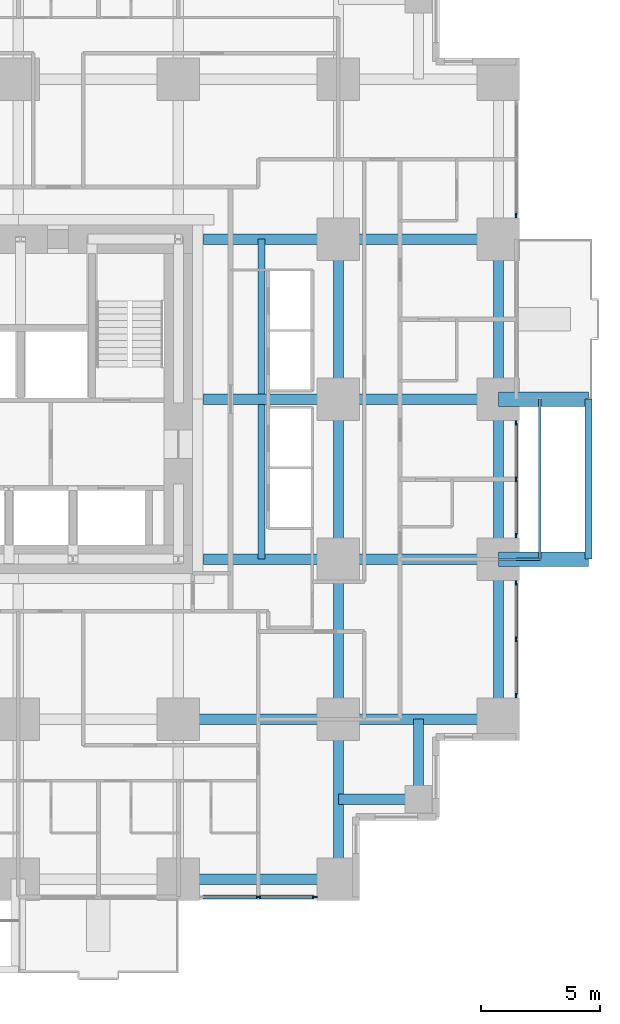
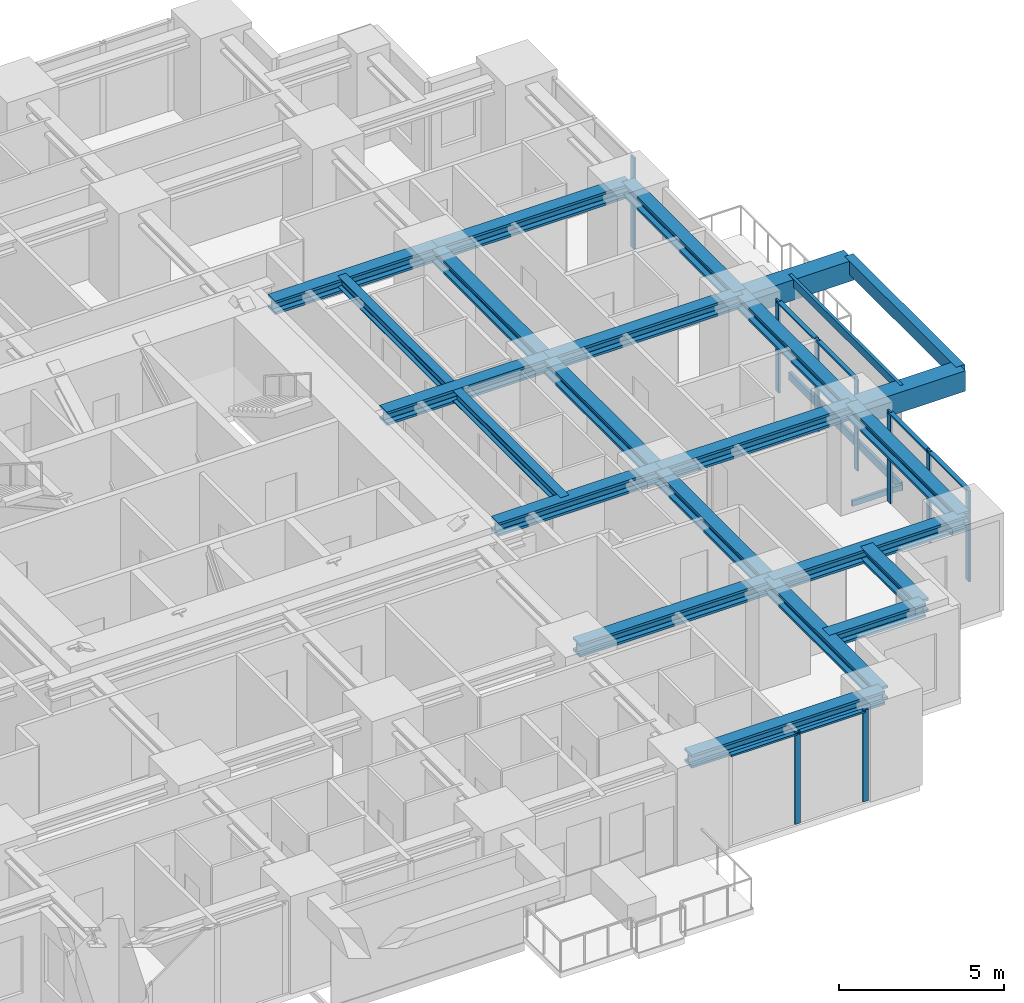
# One storey, part 4 of 14: 23 beams, 18 members, 4 elements without a shape of their own.
"""IFC4 building model written with IfcOpenShell, lengths in metres."""

from ifc_helpers import new_model, si_unit, direction, frame, origin, origin_2d, place, context, subcontext, project, spatial, rectangle, hollow_rectangle, i_section, extrude, material, material_profile, profile_set, type_object, element, aggregate, save


model = new_model("IFC4")

# Units and contexts
model_context = context("Model", 3, precision=1e-05, world=origin(), true_north=direction((0.0, 1.0)))
body_context = subcontext(model_context, "Body", "Model", "MODEL_VIEW")
ifc_project = project(units=[si_unit("LENGTHUNIT", "METRE"), si_unit("AREAUNIT", "SQUARE_METRE"), si_unit("VOLUMEUNIT", "CUBIC_METRE"), si_unit("PLANEANGLEUNIT", "RADIAN"), si_unit("MASSUNIT", "GRAM", prefix="KILO")], contexts=[model_context])

# Site, building, storey
site_placement = place(None, origin())
site = spatial("IfcSite", under=ifc_project, at=site_placement, CompositionType="ELEMENT")
building_placement = place(site_placement, origin())
building = spatial("IfcBuilding", under=site, at=building_placement, Name="Nyansa Garden Tower", CompositionType="ELEMENT")
storey_placement = place(building_placement, frame((0.0, 0.0, 64.800048828125)))
storey = spatial("IfcBuildingStorey", under=building, at=storey_placement, Name="L17", CompositionType="ELEMENT", Elevation=64.800048828125)

# Beams
ifc_material_1 = material(Name="Concrete C70/85", Category="concrete")
ifc_material_profile_1 = material_profile(ifc_material_1, rectangle(XDim=0.60009765625, YDim=0.75, at=origin_2d()), Name="RC 600x750")
ifc_profile_set_1 = profile_set([ifc_material_profile_1], Name="Concrete C70/85")
beam_type_1 = type_object("IfcBeamType", Name="Balcony cantilever beam CB1 RC 600x750", PredefinedType="BEAM", material=ifc_profile_set_1)
for number, where, z_axis, x_axis, name in (
    (1, (40.5, 13.5, 2.98486328125), (1.0, 0.0, 0.0), (0.0, 1.0, 0.0), "Balcony cantilever beam L18"),
    (2, (40.5, 20.25, 2.98486328125), (1.0, 0.0, 0.0), (0.0, 1.0, 0.0), "Balcony cantilever beam L18"),
):
    element("IfcBeam", number, at=place(storey_placement, frame(where, z_axis=z_axis, x_axis=x_axis)), inside=storey, type_object=beam_type_1, Name=name, PredefinedType="BEAM", context=body_context, shape_type="SweptSolid", body=[
        extrude(rectangle(XDim=0.60009765625, YDim=0.75, at=origin_2d()), origin(), (0.0, 0.0, 1.0), 3.800048828125),
    ])
ifc_material_2 = material(Name="Concrete C70/85", Category="concrete")
ifc_material_profile_2 = material_profile(ifc_material_2, rectangle(XDim=0.300048828125, YDim=0.5, at=origin_2d()), Name="RC 300x500")
ifc_profile_set_2 = profile_set([ifc_material_profile_2], Name="Concrete C70/85")
beam_type_2 = type_object("IfcBeamType", Name="Balcony edge beam BE1 RC 300x500", PredefinedType="BEAM", material=ifc_profile_set_2)
beam_1_placement = place(storey_placement, frame((44.300048828125, 13.5, 3.10986328125), z_axis=(0.0, 1.0, 0.0), x_axis=(-1.0, 0.0, 0.0)))
element("IfcBeam", 3, at=beam_1_placement, inside=storey, type_object=beam_type_2, Name="Balcony edge beam L18", PredefinedType="BEAM", context=body_context, shape_type="SweptSolid", body=[
    extrude(rectangle(XDim=0.300048828125, YDim=0.5, at=origin_2d()), origin(), (0.0, 0.0, 1.0), 6.75),
])

# Curtain wall, members
ifc_material_3 = material(Name="Black anodised aluminium, dark tinted double glazing", Category="aluminium")
curtain_wall_type = type_object("IfcCurtainWallType", Name="Inner skin curtain wall ISW-A", PredefinedType="USERDEFINED", material=ifc_material_3)
curtain_wall_1_placement = place(storey_placement, origin())
curtain_wall_1 = element("IfcCurtainWall", 4, at=curtain_wall_1_placement, inside=storey, type_object=curtain_wall_type, Name="Inner skin curtain wall L17 E", ObjectType="UNITISED CURTAIN WALL", PredefinedType="USERDEFINED")
ifc_material_4 = material(Name="Black anodised aluminium", Category="aluminium")
ifc_material_profile_3 = material_profile(ifc_material_4, rectangle(XDim=0.06494140625, YDim=0.199951171875, at=origin_2d()), Name="Mullion 200x65")
ifc_profile_set_3 = profile_set([ifc_material_profile_3], Name="Black anodised aluminium")
member_type_1 = type_object("IfcMemberType", Name="Mullion ISW-A 200x65", PredefinedType="MULLION", material=ifc_profile_set_3)
member_1_placement = place(storey_placement, frame((41.25, 7.75, 0.0), z_axis=(0.0, 0.0, 1.0), x_axis=(-1.0, 0.0, 0.0)))
member_1 = element("IfcMember", 5, at=member_1_placement, type_object=member_type_1, Name="ISW-A mullion 1", PredefinedType="MULLION", context=body_context, shape_type="SweptSolid", body=[
    extrude(rectangle(XDim=0.06494140625, YDim=0.199951171875, at=origin_2d()), origin(), (0.0, 0.0, 1.0), 3.375),
])
member_2_placement = place(storey_placement, frame((41.25, 10.125, 0.0), z_axis=(0.0, 0.0, 1.0), x_axis=(-1.0, 0.0, 0.0)))
member_2 = element("IfcMember", 6, at=member_2_placement, type_object=member_type_1, Name="ISW-A mullion 2", PredefinedType="MULLION", context=body_context, shape_type="SweptSolid", body=[
    extrude(rectangle(XDim=0.06494140625, YDim=0.199951171875, at=origin_2d()), origin(), (0.0, 0.0, 1.0), 3.375),
])
member_3_placement = place(storey_placement, frame((41.25, 12.5, 0.0), z_axis=(0.0, 0.0, 1.0), x_axis=(-1.0, 0.0, 0.0)))
member_3 = element("IfcMember", 7, at=member_3_placement, type_object=member_type_1, Name="ISW-A mullion 3", PredefinedType="MULLION", context=body_context, shape_type="SweptSolid", body=[
    extrude(rectangle(XDim=0.06494140625, YDim=0.199951171875, at=origin_2d()), origin(), (0.0, 0.0, 1.0), 3.375),
])

curtain_wall_2_placement = place(storey_placement, origin())
curtain_wall_2 = element("IfcCurtainWall", 8, at=curtain_wall_2_placement, inside=storey, type_object=curtain_wall_type, Name="Inner skin curtain wall L17 E", ObjectType="UNITISED CURTAIN WALL", PredefinedType="USERDEFINED")
member_4_placement = place(storey_placement, frame((41.25, 14.5, 0.0), z_axis=(0.0, 0.0, 1.0), x_axis=(-1.0, 0.0, 0.0)))
member_4 = element("IfcMember", 9, at=member_4_placement, type_object=member_type_1, Name="ISW-A mullion 1", PredefinedType="MULLION", context=body_context, shape_type="SweptSolid", body=[
    extrude(rectangle(XDim=0.06494140625, YDim=0.199951171875, at=origin_2d()), origin(), (0.0, 0.0, 1.0), 3.375),
])
member_5_placement = place(storey_placement, frame((41.25, 16.875, 0.0), z_axis=(0.0, 0.0, 1.0), x_axis=(-1.0, 0.0, 0.0)))
member_5 = element("IfcMember", 10, at=member_5_placement, type_object=member_type_1, Name="ISW-A mullion 2", PredefinedType="MULLION", context=body_context, shape_type="SweptSolid", body=[
    extrude(rectangle(XDim=0.06494140625, YDim=0.199951171875, at=origin_2d()), origin(), (0.0, 0.0, 1.0), 3.375),
])
member_6_placement = place(storey_placement, frame((41.25, 19.25, 0.0), z_axis=(0.0, 0.0, 1.0), x_axis=(-1.0, 0.0, 0.0)))
member_6 = element("IfcMember", 11, at=member_6_placement, type_object=member_type_1, Name="ISW-A mullion 3", PredefinedType="MULLION", context=body_context, shape_type="SweptSolid", body=[
    extrude(rectangle(XDim=0.06494140625, YDim=0.199951171875, at=origin_2d()), origin(), (0.0, 0.0, 1.0), 3.375),
])

# Curtain wall, member
curtain_wall_3_placement = place(storey_placement, origin())
curtain_wall_3 = element("IfcCurtainWall", 12, at=curtain_wall_3_placement, inside=storey, type_object=curtain_wall_type, Name="Inner skin curtain wall L17 E", ObjectType="UNITISED CURTAIN WALL", PredefinedType="USERDEFINED")
member_7_placement = place(storey_placement, frame((41.25, 28.0, 0.0), z_axis=(0.0, 0.0, 1.0), x_axis=(-1.0, 0.0, 0.0)))
member_7 = element("IfcMember", 13, at=member_7_placement, type_object=member_type_1, Name="ISW-A mullion 1", PredefinedType="MULLION", context=body_context, shape_type="SweptSolid", body=[
    extrude(rectangle(XDim=0.06494140625, YDim=0.199951171875, at=origin_2d()), origin(), (0.0, 0.0, 1.0), 3.375),
])
aggregate(curtain_wall_3, [member_7])

# Curtain wall, members
curtain_wall_4_placement = place(storey_placement, origin())
curtain_wall_4 = element("IfcCurtainWall", 14, at=curtain_wall_4_placement, inside=storey, type_object=curtain_wall_type, Name="Inner skin curtain wall L17 S", ObjectType="UNITISED CURTAIN WALL", PredefinedType="USERDEFINED")
member_8_placement = place(storey_placement, frame((30.375, -0.75, 0.0), z_axis=(0.0, 0.0, 1.0), x_axis=(0.0, 1.0, 0.0)))
member_8 = element("IfcMember", 15, at=member_8_placement, type_object=member_type_1, Name="ISW-A mullion 2", PredefinedType="MULLION", context=body_context, shape_type="SweptSolid", body=[
    extrude(rectangle(XDim=0.06494140625, YDim=0.199951171875, at=origin_2d()), origin(), (0.0, 0.0, 1.0), 3.375),
])
member_9_placement = place(storey_placement, frame((32.75, -0.75, 0.0), z_axis=(0.0, 0.0, 1.0), x_axis=(0.0, 1.0, 0.0)))
member_9 = element("IfcMember", 16, at=member_9_placement, type_object=member_type_1, Name="ISW-A mullion 3", PredefinedType="MULLION", context=body_context, shape_type="SweptSolid", body=[
    extrude(rectangle(XDim=0.06494140625, YDim=0.199951171875, at=origin_2d()), origin(), (0.0, 0.0, 1.0), 3.375),
])

# Members
ifc_material_5 = material(Name="Steel S355, black powder coated", Category="steel")
ifc_material_profile_4 = material_profile(ifc_material_5, hollow_rectangle(XDim=0.10009765625, YDim=0.199951171875, WallThickness=0.008056640625, at=origin_2d()), Name="RHS 200x100x8")
ifc_profile_set_4 = profile_set([ifc_material_profile_4], Name="Steel S355, black powder coated")
member_type_2 = type_object("IfcMemberType", Name="Outer skin bracket arm RHS 200x100x8", PredefinedType="USERDEFINED", material=ifc_profile_set_4)
member_10_placement = place(storey_placement, frame((40.5, 13.5, -0.375), z_axis=(1.0, 0.0, 0.0), x_axis=(0.0, 1.0, 0.0)))
element("IfcMember", 17, at=member_10_placement, inside=storey, type_object=member_type_2, Name="Outer skin bracket arm", ObjectType="OUTER SKIN BRACKET", PredefinedType="USERDEFINED", context=body_context, shape_type="SweptSolid", body=[
    extrude(hollow_rectangle(XDim=0.10009765625, YDim=0.199951171875, WallThickness=0.008056640625, at=origin_2d()), origin(), (0.0, 0.0, 1.0), 1.75),
])
ifc_material_6 = material(Name="Steel S355, black powder coated", Category="steel")
ifc_material_profile_5 = material_profile(ifc_material_6, hollow_rectangle(XDim=0.10009765625, YDim=0.300048828125, WallThickness=0.010009765625, at=origin_2d()), Name="RHS 300x100x10")
ifc_profile_set_5 = profile_set([ifc_material_profile_5], Name="Steel S355, black powder coated")
member_type_3 = type_object("IfcMemberType", Name="Outer skin rail RHS 300x100x10", PredefinedType="USERDEFINED", material=ifc_profile_set_5)
for number, where, z_axis, x_axis, name in (
    (18, (42.25, 13.5, -0.375), (0.0, 1.0, 0.0), (-1.0, 0.0, 0.0), "Outer skin rail L17"),
    (19, (42.25, 13.5, 3.224853515625), (0.0, 1.0, 0.0), (-1.0, 0.0, 0.0), "Outer skin rail L17 head"),
):
    element("IfcMember", number, at=place(storey_placement, frame(where, z_axis=z_axis, x_axis=x_axis)), inside=storey, type_object=member_type_3, Name=name, ObjectType="OUTER SKIN RAIL", PredefinedType="USERDEFINED", context=body_context, shape_type="SweptSolid", body=[
        extrude(hollow_rectangle(XDim=0.10009765625, YDim=0.300048828125, WallThickness=0.010009765625, at=origin_2d()), origin(), (0.0, 0.0, 1.0), 6.75),
    ])

# Beams
ifc_material_7 = material(Name="Steel S355", Category="steel")
ifc_material_profile_6 = material_profile(ifc_material_7, i_section(OverallWidth=0.431884765625, OverallDepth=0.498046875, WebThickness=0.0556640625, FlangeThickness=0.0888671875, FilletRadius=0.014892578125, at=origin_2d()), Name="HD 400x744")
ifc_profile_set_6 = profile_set([ifc_material_profile_6], Name="Steel S355")
beam_type_3 = type_object("IfcBeamType", Name="Steel beam SBA1-744 HD 400x744", PredefinedType="BEAM", material=ifc_profile_set_6)
beam_2_placement = place(storey_placement, frame((27.0, 6.75, 3.1259765625), z_axis=(1.0, 0.0, 0.0), x_axis=(0.0, 1.0, 0.0)))
element("IfcBeam", 20, at=beam_2_placement, inside=storey, type_object=beam_type_3, Name="Steel beam 6/E-7/E L18", PredefinedType="BEAM", context=body_context, shape_type="SweptSolid", body=[
    extrude(i_section(OverallWidth=0.431884765625, OverallDepth=0.498046875, WebThickness=0.0556640625, FlangeThickness=0.0888671875, FilletRadius=0.014892578125, at=origin_2d()), origin(), (0.0, 0.0, 1.0), 6.75),
])
for number, where, z_axis, x_axis, name in (
    (21, (28.050048828125, 13.5, 3.1259765625), (1.0, 0.0, 0.0), (0.0, 1.0, 0.0), "Steel beam 28.050/F-7/F L18"),
    (22, (28.050048828125, 20.25, 3.1259765625), (1.0, 0.0, 0.0), (0.0, 1.0, 0.0), "Steel beam 28.050/G-7/G L18"),
    (23, (28.050048828125, 27.0, 3.1259765625), (1.0, 0.0, 0.0), (0.0, 1.0, 0.0), "Steel beam 28.050/H-7/H L18"),
):
    element("IfcBeam", number, at=place(storey_placement, frame(where, z_axis=z_axis, x_axis=x_axis)), inside=storey, type_object=beam_type_3, Name=name, PredefinedType="BEAM", context=body_context, shape_type="SweptSolid", body=[
        extrude(i_section(OverallWidth=0.431884765625, OverallDepth=0.498046875, WebThickness=0.0556640625, FlangeThickness=0.0888671875, FilletRadius=0.014892578125, at=origin_2d()), origin(), (0.0, 0.0, 1.0), 5.699951171875),
    ])
for number, where, z_axis, x_axis, name in (
    (24, (33.75, 0.0, 3.1259765625), (0.0, 1.0, 0.0), (-1.0, 0.0, 0.0), "Steel beam 7/D-7/E L18"),
    (25, (33.75, 6.75, 3.1259765625), (0.0, 1.0, 0.0), (-1.0, 0.0, 0.0), "Steel beam 7/E-7/F L18"),
    (26, (33.75, 6.75, 3.1259765625), (1.0, 0.0, 0.0), (0.0, 1.0, 0.0), "Steel beam 7/E-8/E L18"),
    (27, (33.75, 13.5, 3.1259765625), (0.0, 1.0, 0.0), (-1.0, 0.0, 0.0), "Steel beam 7/F-7/G L18"),
    (28, (33.75, 13.5, 3.1259765625), (1.0, 0.0, 0.0), (0.0, 1.0, 0.0), "Steel beam 7/F-8/F L18"),
    (29, (33.75, 20.25, 3.1259765625), (0.0, 1.0, 0.0), (-1.0, 0.0, 0.0), "Steel beam 7/G-7/H L18"),
    (30, (33.75, 20.25, 3.1259765625), (1.0, 0.0, 0.0), (0.0, 1.0, 0.0), "Steel beam 7/G-8/G L18"),
    (31, (33.75, 27.0, 3.1259765625), (1.0, 0.0, 0.0), (0.0, 1.0, 0.0), "Steel beam 7/H-8/H L18"),
):
    element("IfcBeam", number, at=place(storey_placement, frame(where, z_axis=z_axis, x_axis=x_axis)), inside=storey, type_object=beam_type_3, Name=name, PredefinedType="BEAM", context=body_context, shape_type="SweptSolid", body=[
        extrude(i_section(OverallWidth=0.431884765625, OverallDepth=0.498046875, WebThickness=0.0556640625, FlangeThickness=0.0888671875, FilletRadius=0.014892578125, at=origin_2d()), origin(), (0.0, 0.0, 1.0), 6.75),
    ])
ifc_material_8 = material(Name="Steel S355", Category="steel")
ifc_material_profile_7 = material_profile(ifc_material_8, i_section(OverallWidth=0.431884765625, OverallDepth=0.498046875, WebThickness=0.0556640625, FlangeThickness=0.0888671875, FilletRadius=0.014892578125, at=origin_2d()), Name="HD 400x744")
ifc_profile_set_7 = profile_set([ifc_material_profile_7], Name="Steel S355")
beam_type_4 = type_object("IfcBeamType", Name="Steel beam SEBA-744 HD 400x744", PredefinedType="BEAM", material=ifc_profile_set_7)
for number, where, z_axis, x_axis, name in (
    (32, (27.0, 0.0, 3.1259765625), (1.0, 0.0, 0.0), (0.0, 1.0, 0.0), "Steel edge beam 6/D-7/D L18"),
    (33, (40.5, 6.75, 3.1259765625), (0.0, 1.0, 0.0), (-1.0, 0.0, 0.0), "Steel edge beam 8/E-8/F L18"),
    (34, (40.5, 13.5, 3.1259765625), (0.0, 1.0, 0.0), (-1.0, 0.0, 0.0), "Steel edge beam 8/F-8/G L18"),
    (35, (40.5, 20.25, 3.1259765625), (0.0, 1.0, 0.0), (-1.0, 0.0, 0.0), "Steel edge beam 8/G-8/H L18"),
):
    element("IfcBeam", number, at=place(storey_placement, frame(where, z_axis=z_axis, x_axis=x_axis)), inside=storey, type_object=beam_type_4, Name=name, PredefinedType="BEAM", context=body_context, shape_type="SweptSolid", body=[
        extrude(i_section(OverallWidth=0.431884765625, OverallDepth=0.498046875, WebThickness=0.0556640625, FlangeThickness=0.0888671875, FilletRadius=0.014892578125, at=origin_2d()), origin(), (0.0, 0.0, 1.0), 6.75),
    ])
ifc_material_9 = material(Name="Steel S355", Category="steel")
ifc_material_profile_8 = material_profile(ifc_material_9, i_section(OverallWidth=0.431884765625, OverallDepth=0.498046875, WebThickness=0.0556640625, FlangeThickness=0.0888671875, FilletRadius=0.014892578125, at=origin_2d()), Name="HD 400x744")
ifc_profile_set_8 = profile_set([ifc_material_profile_8], Name="Steel S355")
beam_type_5 = type_object("IfcBeamType", Name="Steel beam SSB1-744 HD 400x744", PredefinedType="BEAM", material=ifc_profile_set_8)
for number, where, z_axis, x_axis, name in (
    (36, (37.125, 3.375, 3.1259765625), (0.0, 1.0, 0.0), (-1.0, 0.0, 0.0), "Steel step beam 37.125/3.375 L18"),
    (37, (37.125, 3.375, 3.1259765625), (-1.0, 0.0, 0.0), (0.0, -1.0, 0.0), "Steel step beam 37.125/3.375 L18"),
):
    element("IfcBeam", number, at=place(storey_placement, frame(where, z_axis=z_axis, x_axis=x_axis)), inside=storey, type_object=beam_type_5, Name=name, PredefinedType="BEAM", context=body_context, shape_type="SweptSolid", body=[
        extrude(i_section(OverallWidth=0.431884765625, OverallDepth=0.498046875, WebThickness=0.0556640625, FlangeThickness=0.0888671875, FilletRadius=0.014892578125, at=origin_2d()), origin(), (0.0, 0.0, 1.0), 3.375),
    ])

# Member
ifc_material_10 = material(Name="Black anodised aluminium", Category="aluminium")
ifc_material_profile_9 = material_profile(ifc_material_10, rectangle(XDim=0.14990234375, YDim=0.06494140625, at=origin_2d()), Name="Transom 150x65")
ifc_profile_set_9 = profile_set([ifc_material_profile_9], Name="Black anodised aluminium")
member_type_4 = type_object("IfcMemberType", Name="Transom ISW-A 150x65", PredefinedType="USERDEFINED", material=ifc_profile_set_9)
member_11_placement = place(storey_placement, frame((41.25, 7.782470703125, 3.342529296875), z_axis=(0.0, 1.0, 0.0), x_axis=(-1.0, 0.0, 0.0)))
member_11 = element("IfcMember", 38, at=member_11_placement, type_object=member_type_4, Name="ISW-A transom 1", ObjectType="TRANSOM", PredefinedType="USERDEFINED", context=body_context, shape_type="SweptSolid", body=[
    extrude(rectangle(XDim=0.14990234375, YDim=0.06494140625, at=origin_2d()), origin(), (0.0, 0.0, 1.0), 2.31005859375),
])

member_12_placement = place(storey_placement, frame((41.25, 10.157470703125, 3.342529296875), z_axis=(0.0, 1.0, 0.0), x_axis=(-1.0, 0.0, 0.0)))
member_12 = element("IfcMember", 39, at=member_12_placement, type_object=member_type_4, Name="ISW-A transom 2", ObjectType="TRANSOM", PredefinedType="USERDEFINED", context=body_context, shape_type="SweptSolid", body=[
    extrude(rectangle(XDim=0.14990234375, YDim=0.06494140625, at=origin_2d()), origin(), (0.0, 0.0, 1.0), 2.31005859375),
])

aggregate(curtain_wall_1, [member_1, member_2, member_3, member_11, member_12])

member_13_placement = place(storey_placement, frame((41.25, 14.532470703125, 3.342529296875), z_axis=(0.0, 1.0, 0.0), x_axis=(-1.0, 0.0, 0.0)))
member_13 = element("IfcMember", 40, at=member_13_placement, type_object=member_type_4, Name="ISW-A transom 1", ObjectType="TRANSOM", PredefinedType="USERDEFINED", context=body_context, shape_type="SweptSolid", body=[
    extrude(rectangle(XDim=0.14990234375, YDim=0.06494140625, at=origin_2d()), origin(), (0.0, 0.0, 1.0), 2.31005859375),
])

member_14_placement = place(storey_placement, frame((41.25, 16.907470703125, 3.342529296875), z_axis=(0.0, 1.0, 0.0), x_axis=(-1.0, 0.0, 0.0)))
member_14 = element("IfcMember", 41, at=member_14_placement, type_object=member_type_4, Name="ISW-A transom 2", ObjectType="TRANSOM", PredefinedType="USERDEFINED", context=body_context, shape_type="SweptSolid", body=[
    extrude(rectangle(XDim=0.14990234375, YDim=0.06494140625, at=origin_2d()), origin(), (0.0, 0.0, 1.0), 2.31005859375),
])

aggregate(curtain_wall_2, [member_4, member_5, member_6, member_13, member_14])

member_15_placement = place(storey_placement, frame((28.032470703125, -0.75, 3.342529296875), z_axis=(1.0, 0.0, 0.0), x_axis=(0.0, 1.0, 0.0)))
member_15 = element("IfcMember", 42, at=member_15_placement, type_object=member_type_4, Name="ISW-A transom 1", ObjectType="TRANSOM", PredefinedType="USERDEFINED", context=body_context, shape_type="SweptSolid", body=[
    extrude(rectangle(XDim=0.14990234375, YDim=0.06494140625, at=origin_2d()), origin(), (0.0, 0.0, 1.0), 2.31005859375),
])

member_16_placement = place(storey_placement, frame((30.407470703125, -0.75, 3.342529296875), z_axis=(1.0, 0.0, 0.0), x_axis=(0.0, 1.0, 0.0)))
member_16 = element("IfcMember", 43, at=member_16_placement, type_object=member_type_4, Name="ISW-A transom 2", ObjectType="TRANSOM", PredefinedType="USERDEFINED", context=body_context, shape_type="SweptSolid", body=[
    extrude(rectangle(XDim=0.14990234375, YDim=0.06494140625, at=origin_2d()), origin(), (0.0, 0.0, 1.0), 2.31005859375),
])

aggregate(curtain_wall_4, [member_8, member_9, member_15, member_16])

# Beams
ifc_material_11 = material(Name="Steel S355", Category="steel")
ifc_material_profile_10 = material_profile(ifc_material_11, i_section(OverallWidth=0.300048828125, OverallDepth=0.39990234375, WebThickness=0.013427734375, FlangeThickness=0.02392578125, FilletRadius=0.027099609375, at=origin_2d()), Name="HE 400 B")
ifc_profile_set_10 = profile_set([ifc_material_profile_10], Name="Steel S355")
beam_type_6 = type_object("IfcBeamType", Name="Trimmer beam TR1 HE 400 B", PredefinedType="BEAM", material=ifc_profile_set_10)
for number, where, z_axis, x_axis, name in (
    (44, (30.5, 13.5, 3.175048828125), (0.0, 1.0, 0.0), (-1.0, 0.0, 0.0), "Trimmer beam 1 L18"),
    (45, (30.5, 20.466064453125, 3.175048828125), (0.0, 1.0, 0.0), (-1.0, 0.0, 0.0), "Trimmer beam 2 L18"),
):
    element("IfcBeam", number, at=place(storey_placement, frame(where, z_axis=z_axis, x_axis=x_axis)), inside=storey, type_object=beam_type_6, Name=name, PredefinedType="BEAM", context=body_context, shape_type="SweptSolid", body=[
        extrude(i_section(OverallWidth=0.300048828125, OverallDepth=0.39990234375, WebThickness=0.013427734375, FlangeThickness=0.02392578125, FilletRadius=0.027099609375, at=origin_2d()), origin(), (0.0, 0.0, 1.0), 6.533935546875),
    ])

save(model, "model.ifc")
